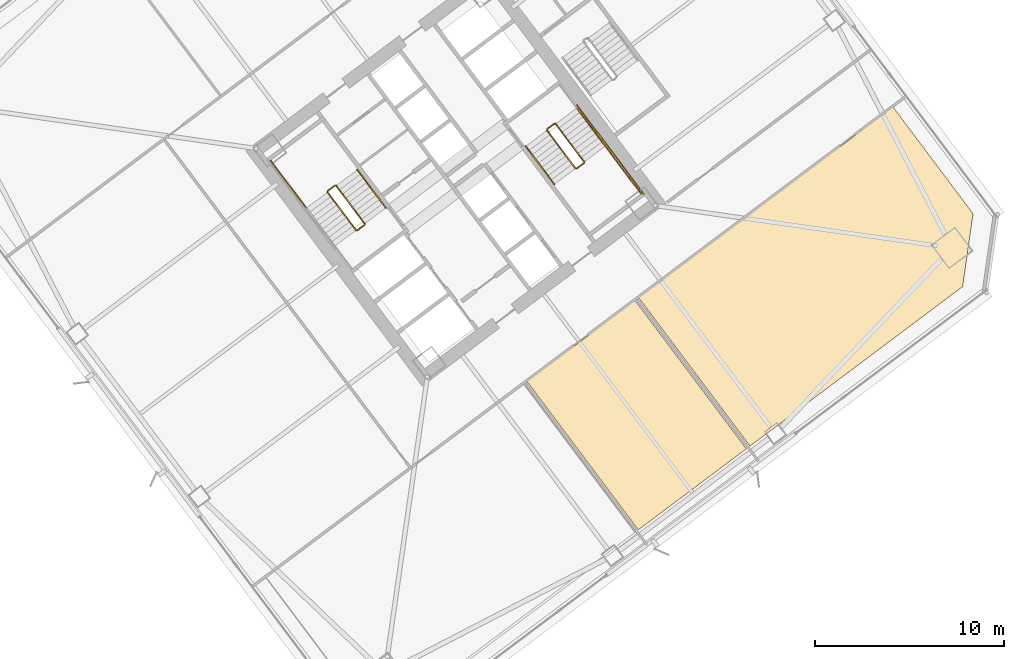
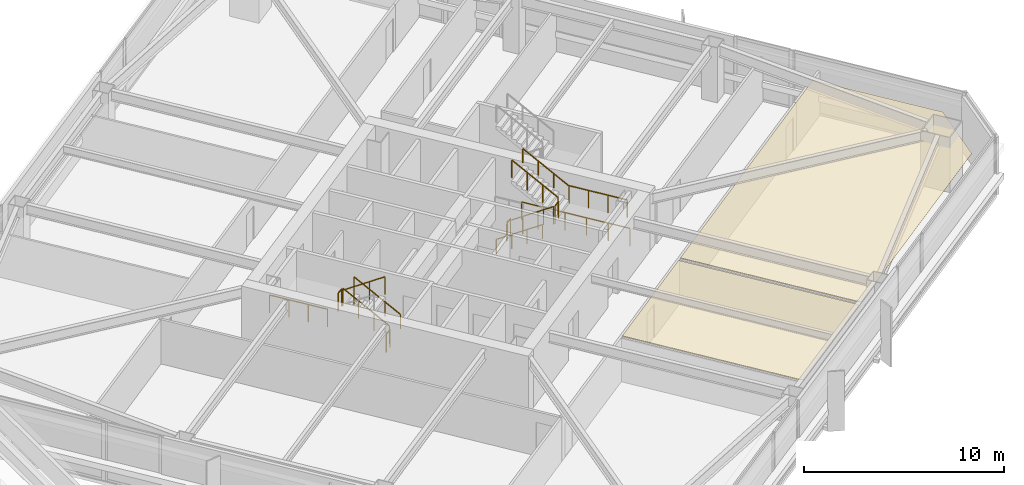
# One storey, part 59 of 62: 14 railings, 2 coverings.
"""IFC4 building model written with IfcOpenShell, lengths in metres."""

from ifc_helpers import new_model, si_unit, direction, frame, origin, origin_2d, place, context, subcontext, project, spatial, polyline, rectangle, outline, extrude, material, layer, layer_set, type_object, element, save


model = new_model("IFC4")

# Units and contexts
model_context = context("Model", 3, precision=1e-05, world=origin(), true_north=direction((0.0, 1.0)))
body_context = subcontext(model_context, "Body", "Model", "MODEL_VIEW")
ifc_project = project(units=[si_unit("LENGTHUNIT", "METRE"), si_unit("AREAUNIT", "SQUARE_METRE"), si_unit("VOLUMEUNIT", "CUBIC_METRE"), si_unit("PLANEANGLEUNIT", "RADIAN"), si_unit("MASSUNIT", "GRAM", prefix="KILO")], contexts=[model_context])

# Site, building, storey
site_placement = place(None, origin())
site = spatial("IfcSite", under=ifc_project, at=site_placement, CompositionType="ELEMENT")
building_placement = place(site_placement, origin())
building = spatial("IfcBuilding", under=site, at=building_placement, Name="Tashvorn Skyway Center", CompositionType="ELEMENT")
storey_placement = place(building_placement, frame((0.0, 0.0, 28.14990234375)))
storey = spatial("IfcBuildingStorey", under=building, at=storey_placement, Name="L06", CompositionType="ELEMENT", Elevation=28.14990234375)

# Coverings
ifc_material_1 = material(Name="Mineral-fibre acoustic ceiling tile on suspended grid")
ifc_layer = layer(ifc_material_1, 0.02001953125)
ifc_layer_set = layer_set([ifc_layer], Name="Mineral-fibre acoustic ceiling tile on suspended grid")
covering_type = type_object("IfcCoveringType", Name="COV-CEIL-20", PredefinedType="CEILING", material=ifc_layer_set)
covering_1_placement = place(storey_placement, frame((0.0, 0.0, 2.68310546875)))
element("IfcCovering", 1, at=covering_1_placement, inside=storey, type_object=covering_type, Name="Tower 2 L06 Catering Pantry Acoustic Ceiling", PredefinedType="CEILING", context=body_context, shape_type="SweptSolid", body=[
    extrude(outline(polyline([(117.780029296875, 21.159912109375), (123.508056640625, 25.4560546875), (129.412109375, 17.583984375), (123.68408203125, 13.2880859375), (117.780029296875, 21.159912109375)])), origin(), (0.0, 0.0, 1.0), 0.02001953125),
])
covering_2_placement = place(storey_placement, frame((0.0, 0.0, 2.68310546875)))
element("IfcCovering", 2, at=covering_2_placement, inside=storey, type_object=covering_type, Name="Tower 2 L06 Catering Pantry Acoustic Ceiling", PredefinedType="CEILING", context=body_context, shape_type="SweptSolid", body=[
    extrude(outline(polyline([(129.60400390625, 17.72802734375), (123.699951171875, 25.60009765625), (137.18798828125, 35.716064453125), (141.43603515625, 30.052001953125), (140.884033203125, 26.18798828125), (129.60400390625, 17.72802734375)])), origin(), (0.0, 0.0, 1.0), 0.02001953125),
])

# Railings
ifc_material_2 = material(Name="Brushed stainless steel 316", Category="steel")
railing_type_1 = type_object("IfcRailingType", Name="RAIL-HAND-920", PredefinedType="HANDRAIL", material=ifc_material_2)
railing_1_placement = place(storey_placement, frame((110.2880859375, 30.365966796875, 0.177490234375)))
element("IfcRailing", 3, at=railing_1_placement, inside=storey, type_object=railing_type_1, Name="L06 ST-T2-1 stair handrail 1", PredefinedType="HANDRAIL", context=body_context, shape_type="SweptSolid", body=[
    extrude(rectangle(XDim=0.048095703125, YDim=0.048095703125, at=origin_2d()), frame((0.0, 0.0, 0.8759765625), z_axis=(-0.506779409603, 0.675651334276, 0.53541563714), x_axis=(-0.799976749893, -0.600030998891, 0.0)), (0.0, 0.0, 1.0), 2.98388671875),
    extrude(rectangle(XDim=0.0419921875, YDim=0.0419921875, at=origin_2d()), origin(), (0.0, 0.0, 1.0), 0.851806640625),
    extrude(rectangle(XDim=0.0419921875, YDim=0.0419921875, at=origin_2d()), frame((-0.504150390625, 0.672119140625, 0.532470703125)), (0.0, 0.0, 1.0), 0.851806640625),
    extrude(rectangle(XDim=0.0419921875, YDim=0.0419921875, at=origin_2d()), frame((-1.008056640625, 1.343994140625, 1.065185546875)), (0.0, 0.0, 1.0), 0.851806640625),
    extrude(rectangle(XDim=0.0419921875, YDim=0.0419921875, at=origin_2d()), frame((-1.51220703125, 2.01611328125, 1.59765625)), (0.0, 0.0, 1.0), 0.851806640625),
])
railing_2_placement = place(storey_placement, frame((117.7119140625, 33.634033203125, 0.177490234375)))
element("IfcRailing", 4, at=railing_2_placement, inside=storey, type_object=railing_type_1, Name="L06 ST-T2-2 stair handrail 1", PredefinedType="HANDRAIL", context=body_context, shape_type="SweptSolid", body=[
    extrude(rectangle(XDim=0.048095703125, YDim=0.048095703125, at=origin_2d()), frame((0.0, 0.0, 0.8759765625), z_axis=(0.506779409603, -0.675651334276, 0.53541563714), x_axis=(0.799976749893, 0.600030998891, 0.0)), (0.0, 0.0, 1.0), 2.98388671875),
    extrude(rectangle(XDim=0.0419921875, YDim=0.0419921875, at=origin_2d()), origin(), (0.0, 0.0, 1.0), 0.851806640625),
    extrude(rectangle(XDim=0.0419921875, YDim=0.0419921875, at=origin_2d()), frame((0.504150390625, -0.672119140625, 0.532470703125)), (0.0, 0.0, 1.0), 0.851806640625),
    extrude(rectangle(XDim=0.0419921875, YDim=0.0419921875, at=origin_2d()), frame((1.008056640625, -1.343994140625, 1.065185546875)), (0.0, 0.0, 1.0), 0.851806640625),
    extrude(rectangle(XDim=0.0419921875, YDim=0.0419921875, at=origin_2d()), frame((1.51220703125, -2.01611328125, 1.59765625)), (0.0, 0.0, 1.0), 0.851806640625),
])
railing_3_placement = place(storey_placement, frame((121.927978515625, 33.64599609375, 1.95263671875)))
element("IfcRailing", 5, at=railing_3_placement, inside=storey, type_object=railing_type_1, Name="L06 ST-T2-2 stair handrail 2", PredefinedType="HANDRAIL", context=body_context, shape_type="SweptSolid", body=[
    extrude(rectangle(XDim=0.048095703125, YDim=0.048095703125, at=origin_2d()), frame((0.0, 0.0, 0.8759765625), z_axis=(-0.506740800098, 0.675708949977, 0.535379469569), x_axis=(-0.800023250257, -0.599968998406, 0.0)), (0.0, 0.0, 1.0), 2.983642578125),
    extrude(rectangle(XDim=0.0419921875, YDim=0.0419921875, at=origin_2d()), origin(), (0.0, 0.0, 1.0), 0.851806640625),
    extrude(rectangle(XDim=0.0419921875, YDim=0.0419921875, at=origin_2d()), frame((-0.50390625, 0.672119140625, 0.532470703125)), (0.0, 0.0, 1.0), 0.851806640625),
    extrude(rectangle(XDim=0.0419921875, YDim=0.0419921875, at=origin_2d()), frame((-1.008056640625, 1.343994140625, 1.06494140625)), (0.0, 0.0, 1.0), 0.851806640625),
    extrude(rectangle(XDim=0.0419921875, YDim=0.0419921875, at=origin_2d()), frame((-1.511962890625, 2.01611328125, 1.597412109375)), (0.0, 0.0, 1.0), 0.851806640625),
])
ifc_material_3 = material(Name="Painted galvanized steel S355", Category="steel")
railing_type_2 = type_object("IfcRailingType", Name="RAIL-STGUARD-1100", PredefinedType="GUARDRAIL", material=ifc_material_3)
railing_4_placement = place(storey_placement, frame((109.16796875, 29.52587890625, 0.177490234375)))
element("IfcRailing", 6, at=railing_4_placement, inside=storey, type_object=railing_type_2, Name="L06 ST-T2-1 stair guard 1", PredefinedType="GUARDRAIL", context=body_context, shape_type="SweptSolid", body=[
    extrude(rectangle(XDim=0.048095703125, YDim=0.048095703125, at=origin_2d()), frame((0.0, 0.0, 1.076171875), z_axis=(-0.506718600913, 0.675679348675, 0.535437836974), x_axis=(-0.800023250257, -0.599968998406, 0.0)), (0.0, 0.0, 1.0), 2.98388671875),
    extrude(rectangle(XDim=0.0419921875, YDim=0.0419921875, at=origin_2d()), origin(), (0.0, 0.0, 1.0), 1.052001953125),
    extrude(rectangle(XDim=0.0419921875, YDim=0.0419921875, at=origin_2d()), frame((-0.50390625, 0.672119140625, 0.532470703125)), (0.0, 0.0, 1.0), 1.052001953125),
    extrude(rectangle(XDim=0.0419921875, YDim=0.0419921875, at=origin_2d()), frame((-1.008056640625, 1.343994140625, 1.065185546875)), (0.0, 0.0, 1.0), 1.052001953125),
    extrude(rectangle(XDim=0.0419921875, YDim=0.0419921875, at=origin_2d()), frame((-1.511962890625, 2.01611328125, 1.59765625)), (0.0, 0.0, 1.0), 1.052001953125),
])
railing_5_placement = place(storey_placement, frame((107.5859375, 31.552001953125, 1.775146484375)))
element("IfcRailing", 7, at=railing_5_placement, inside=storey, type_object=railing_type_2, Name="L06 ST-T2-1 stair guard 2", PredefinedType="GUARDRAIL", context=body_context, shape_type="SweptSolid", body=[
    extrude(rectangle(XDim=0.048095703125, YDim=0.048095703125, at=origin_2d()), frame((0.0, 0.0, 1.076171875), z_axis=(-0.799938970639, -0.600081363861, 0.0), x_axis=(0.600081363861, -0.799938970639, 0.0)), (0.0, 0.0, 1.0), 0.47998046875),
    extrude(rectangle(XDim=0.0419921875, YDim=0.0419921875, at=origin_2d()), origin(), (0.0, 0.0, 1.0), 1.052001953125),
    extrude(rectangle(XDim=0.0419921875, YDim=0.0419921875, at=origin_2d()), frame((-0.384033203125, -0.2880859375, 0.0)), (0.0, 0.0, 1.0), 1.052001953125),
])
railing_6_placement = place(storey_placement, frame((106.072021484375, 30.35400390625, 1.775146484375)))
element("IfcRailing", 8, at=railing_6_placement, inside=storey, type_object=railing_type_2, Name="L06 ST-T2-1 stair guard 3", PredefinedType="GUARDRAIL", context=body_context, shape_type="SweptSolid", body=[
    extrude(rectangle(XDim=0.048095703125, YDim=0.048095703125, at=origin_2d()), frame((0.0, 0.0, 1.076171875), z_axis=(-0.599987638607, 0.800009270896, 0.0), x_axis=(-0.800009270896, -0.599987638607, 0.0)), (0.0, 0.0, 1.0), 3.16015625),
    extrude(rectangle(XDim=0.0419921875, YDim=0.0419921875, at=origin_2d()), origin(), (0.0, 0.0, 1.0), 1.052001953125),
    extrude(rectangle(XDim=0.0419921875, YDim=0.0419921875, at=origin_2d()), frame((-0.632080078125, 0.8427734375, 0.0)), (0.0, 0.0, 1.0), 1.052001953125),
    extrude(rectangle(XDim=0.0419921875, YDim=0.0419921875, at=origin_2d()), frame((-1.263916015625, 1.685302734375, 0.0)), (0.0, 0.0, 1.0), 1.052001953125),
    extrude(rectangle(XDim=0.0419921875, YDim=0.0419921875, at=origin_2d()), frame((-1.89599609375, 2.528076171875, 0.0)), (0.0, 0.0, 1.0), 1.052001953125),
])
railing_7_placement = place(storey_placement, frame((107.19189453125, 31.194091796875, 1.95263671875)))
element("IfcRailing", 9, at=railing_7_placement, inside=storey, type_object=railing_type_2, Name="L06 ST-T2-1 stair guard 4", PredefinedType="GUARDRAIL", context=body_context, shape_type="SweptSolid", body=[
    extrude(rectangle(XDim=0.048095703125, YDim=0.048095703125, at=origin_2d()), frame((0.0, 0.0, 1.076171875), z_axis=(0.506801609611, -0.675680931896, 0.535357270211), x_axis=(0.799976749893, 0.600030998891, 0.0)), (0.0, 0.0, 1.0), 2.98388671875),
    extrude(rectangle(XDim=0.0419921875, YDim=0.0419921875, at=origin_2d()), origin(), (0.0, 0.0, 1.0), 1.052001953125),
    extrude(rectangle(XDim=0.0419921875, YDim=0.0419921875, at=origin_2d()), frame((0.504150390625, -0.672119140625, 0.532470703125)), (0.0, 0.0, 1.0), 1.052001953125),
    extrude(rectangle(XDim=0.0419921875, YDim=0.0419921875, at=origin_2d()), frame((1.008056640625, -1.343994140625, 1.06494140625)), (0.0, 0.0, 1.0), 1.052001953125),
    extrude(rectangle(XDim=0.0419921875, YDim=0.0419921875, at=origin_2d()), frame((1.51220703125, -2.01611328125, 1.597412109375)), (0.0, 0.0, 1.0), 1.052001953125),
])
railing_8_placement = place(storey_placement, frame((109.157958984375, 29.4560546875, 0.0)))
element("IfcRailing", 10, at=railing_8_placement, inside=storey, type_object=railing_type_2, Name="L06 ST-T2-1 stair guard 5", PredefinedType="GUARDRAIL", context=body_context, shape_type="SweptSolid", body=[
    extrude(rectangle(XDim=0.048095703125, YDim=0.048095703125, at=origin_2d()), frame((0.0, 0.0, 1.076171875), z_axis=(-0.799938970639, -0.600081363861, 0.0), x_axis=(0.600081363861, -0.799938970639, 0.0)), (0.0, 0.0, 1.0), 0.47998046875),
    extrude(rectangle(XDim=0.0419921875, YDim=0.0419921875, at=origin_2d()), origin(), (0.0, 0.0, 1.0), 1.052001953125),
    extrude(rectangle(XDim=0.0419921875, YDim=0.0419921875, at=origin_2d()), frame((-0.384033203125, -0.2880859375, 0.0)), (0.0, 0.0, 1.0), 1.052001953125),
])
railing_9_placement = place(storey_placement, frame((118.83203125, 34.47412109375, 0.177490234375)))
element("IfcRailing", 11, at=railing_9_placement, inside=storey, type_object=railing_type_2, Name="L06 ST-T2-2 stair guard 1", PredefinedType="GUARDRAIL", context=body_context, shape_type="SweptSolid", body=[
    extrude(rectangle(XDim=0.048095703125, YDim=0.048095703125, at=origin_2d()), frame((0.0, 0.0, 1.076171875), z_axis=(0.506718600913, -0.675679348675, 0.535437836974), x_axis=(0.800023250257, 0.599968998406, 0.0)), (0.0, 0.0, 1.0), 2.98388671875),
    extrude(rectangle(XDim=0.0419921875, YDim=0.0419921875, at=origin_2d()), origin(), (0.0, 0.0, 1.0), 1.052001953125),
    extrude(rectangle(XDim=0.0419921875, YDim=0.0419921875, at=origin_2d()), frame((0.50390625, -0.672119140625, 0.532470703125)), (0.0, 0.0, 1.0), 1.052001953125),
    extrude(rectangle(XDim=0.0419921875, YDim=0.0419921875, at=origin_2d()), frame((1.008056640625, -1.343994140625, 1.065185546875)), (0.0, 0.0, 1.0), 1.052001953125),
    extrude(rectangle(XDim=0.0419921875, YDim=0.0419921875, at=origin_2d()), frame((1.511962890625, -2.01611328125, 1.59765625)), (0.0, 0.0, 1.0), 1.052001953125),
])
railing_10_placement = place(storey_placement, frame((120.4140625, 32.447998046875, 1.775146484375)))
element("IfcRailing", 12, at=railing_10_placement, inside=storey, type_object=railing_type_2, Name="L06 ST-T2-2 stair guard 2", PredefinedType="GUARDRAIL", context=body_context, shape_type="SweptSolid", body=[
    extrude(rectangle(XDim=0.048095703125, YDim=0.048095703125, at=origin_2d()), frame((0.0, 0.0, 1.076171875), z_axis=(0.799938970639, 0.600081363861, 0.0), x_axis=(-0.600081363861, 0.799938970639, 0.0)), (0.0, 0.0, 1.0), 0.47998046875),
    extrude(rectangle(XDim=0.0419921875, YDim=0.0419921875, at=origin_2d()), origin(), (0.0, 0.0, 1.0), 1.052001953125),
    extrude(rectangle(XDim=0.0419921875, YDim=0.0419921875, at=origin_2d()), frame((0.384033203125, 0.2880859375, 0.0)), (0.0, 0.0, 1.0), 1.052001953125),
])
railing_11_placement = place(storey_placement, frame((121.927978515625, 33.64599609375, 1.775146484375)))
element("IfcRailing", 13, at=railing_11_placement, inside=storey, type_object=railing_type_2, Name="L06 ST-T2-2 stair guard 3", PredefinedType="GUARDRAIL", context=body_context, shape_type="SweptSolid", body=[
    extrude(rectangle(XDim=0.048095703125, YDim=0.048095703125, at=origin_2d()), frame((0.0, 0.0, 1.076171875), z_axis=(0.599987638607, -0.800009270896, 0.0), x_axis=(0.800009270896, 0.599987638607, 0.0)), (0.0, 0.0, 1.0), 3.16015625),
    extrude(rectangle(XDim=0.0419921875, YDim=0.0419921875, at=origin_2d()), origin(), (0.0, 0.0, 1.0), 1.052001953125),
    extrude(rectangle(XDim=0.0419921875, YDim=0.0419921875, at=origin_2d()), frame((0.632080078125, -0.8427734375, 0.0)), (0.0, 0.0, 1.0), 1.052001953125),
    extrude(rectangle(XDim=0.0419921875, YDim=0.0419921875, at=origin_2d()), frame((1.263916015625, -1.685302734375, 0.0)), (0.0, 0.0, 1.0), 1.052001953125),
    extrude(rectangle(XDim=0.0419921875, YDim=0.0419921875, at=origin_2d()), frame((1.89599609375, -2.528076171875, 0.0)), (0.0, 0.0, 1.0), 1.052001953125),
])
railing_12_placement = place(storey_placement, frame((120.80810546875, 32.805908203125, 1.95263671875)))
element("IfcRailing", 14, at=railing_12_placement, inside=storey, type_object=railing_type_2, Name="L06 ST-T2-2 stair guard 4", PredefinedType="GUARDRAIL", context=body_context, shape_type="SweptSolid", body=[
    extrude(rectangle(XDim=0.048095703125, YDim=0.048095703125, at=origin_2d()), frame((0.0, 0.0, 1.076171875), z_axis=(-0.506801609611, 0.675680931896, 0.535357270211), x_axis=(-0.799976749893, -0.600030998891, 0.0)), (0.0, 0.0, 1.0), 2.98388671875),
    extrude(rectangle(XDim=0.0419921875, YDim=0.0419921875, at=origin_2d()), origin(), (0.0, 0.0, 1.0), 1.052001953125),
    extrude(rectangle(XDim=0.0419921875, YDim=0.0419921875, at=origin_2d()), frame((-0.504150390625, 0.672119140625, 0.532470703125)), (0.0, 0.0, 1.0), 1.052001953125),
    extrude(rectangle(XDim=0.0419921875, YDim=0.0419921875, at=origin_2d()), frame((-1.008056640625, 1.343994140625, 1.06494140625)), (0.0, 0.0, 1.0), 1.052001953125),
    extrude(rectangle(XDim=0.0419921875, YDim=0.0419921875, at=origin_2d()), frame((-1.51220703125, 2.01611328125, 1.597412109375)), (0.0, 0.0, 1.0), 1.052001953125),
])
railing_13_placement = place(storey_placement, frame((118.842041015625, 34.5439453125, 0.0)))
element("IfcRailing", 15, at=railing_13_placement, inside=storey, type_object=railing_type_2, Name="L06 ST-T2-2 stair guard 5", PredefinedType="GUARDRAIL", context=body_context, shape_type="SweptSolid", body=[
    extrude(rectangle(XDim=0.048095703125, YDim=0.048095703125, at=origin_2d()), frame((0.0, 0.0, 1.076171875), z_axis=(0.799938970639, 0.600081363861, 0.0), x_axis=(-0.600081363861, 0.799938970639, 0.0)), (0.0, 0.0, 1.0), 0.47998046875),
    extrude(rectangle(XDim=0.0419921875, YDim=0.0419921875, at=origin_2d()), origin(), (0.0, 0.0, 1.0), 1.052001953125),
    extrude(rectangle(XDim=0.0419921875, YDim=0.0419921875, at=origin_2d()), frame((0.384033203125, 0.2880859375, 0.0)), (0.0, 0.0, 1.0), 1.052001953125),
])
railing_14_placement = place(storey_placement, frame((120.43603515625, 35.802001953125, 0.0)))
element("IfcRailing", 16, at=railing_14_placement, inside=storey, type_object=railing_type_2, Name="L06 ST-T2-2 stair guard 7", PredefinedType="GUARDRAIL", context=body_context, shape_type="SweptSolid", body=[
    extrude(rectangle(XDim=0.048095703125, YDim=0.048095703125, at=origin_2d()), frame((0.0, 0.0, 1.076171875), z_axis=(0.6, -0.8, 0.0), x_axis=(0.8, 0.6, 0.0)), (0.0, 0.0, 1.0), 5.880126953125),
    extrude(rectangle(XDim=0.0419921875, YDim=0.0419921875, at=origin_2d()), origin(), (0.0, 0.0, 1.0), 1.052001953125),
    extrude(rectangle(XDim=0.0419921875, YDim=0.0419921875, at=origin_2d()), frame((0.70556640625, -0.94091796875, 0.0)), (0.0, 0.0, 1.0), 1.052001953125),
    extrude(rectangle(XDim=0.0419921875, YDim=0.0419921875, at=origin_2d()), frame((1.4111328125, -1.881591796875, 0.0)), (0.0, 0.0, 1.0), 1.052001953125),
    extrude(rectangle(XDim=0.0419921875, YDim=0.0419921875, at=origin_2d()), frame((2.116943359375, -2.822509765625, 0.0)), (0.0, 0.0, 1.0), 1.052001953125),
    extrude(rectangle(XDim=0.0419921875, YDim=0.0419921875, at=origin_2d()), frame((2.822509765625, -3.76318359375, 0.0)), (0.0, 0.0, 1.0), 1.052001953125),
    extrude(rectangle(XDim=0.0419921875, YDim=0.0419921875, at=origin_2d()), frame((3.528076171875, -4.7041015625, 0.0)), (0.0, 0.0, 1.0), 1.052001953125),
])

save(model, "model.ifc")
